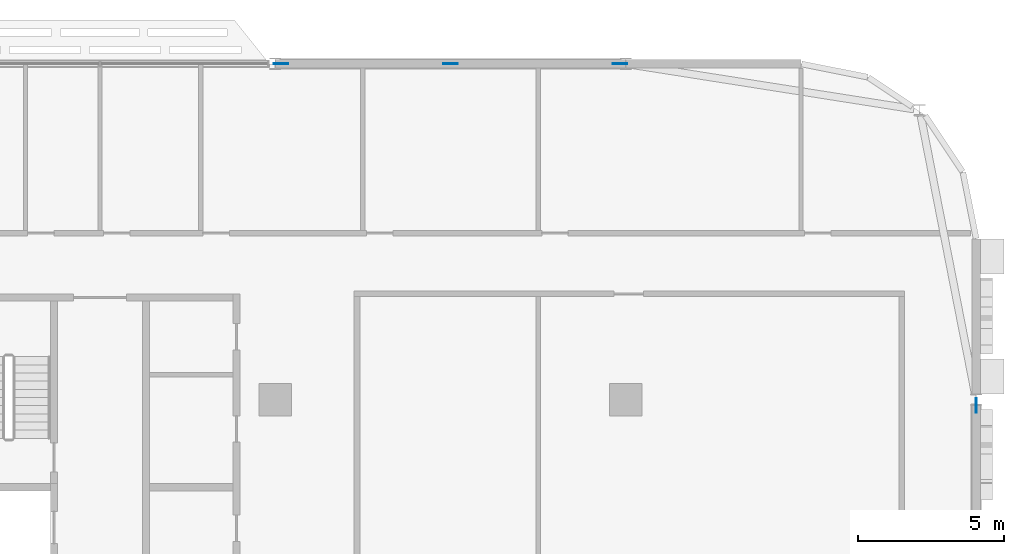
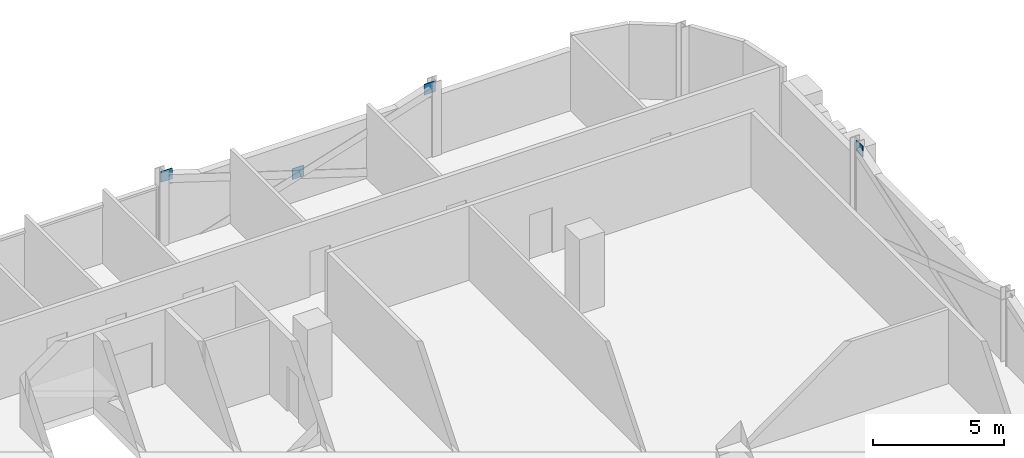
# One storey, part 24 of 30: 4 discrete accessories.
"""IFC4 building model written with IfcOpenShell, lengths in metres."""

from ifc_helpers import new_model, si_unit, direction, frame, origin, origin_2d, place, context, subcontext, project, spatial, rectangle, extrude, material, layer, layer_set, type_object, element, save


model = new_model("IFC4")

# Units and contexts
model_context = context("Model", 3, precision=1e-05, world=origin(), true_north=direction((0.0, 1.0)))
body_context = subcontext(model_context, "Body", "Model", "MODEL_VIEW")
ifc_project = project(units=[si_unit("LENGTHUNIT", "METRE"), si_unit("AREAUNIT", "SQUARE_METRE"), si_unit("VOLUMEUNIT", "CUBIC_METRE"), si_unit("PLANEANGLEUNIT", "RADIAN"), si_unit("MASSUNIT", "GRAM", prefix="KILO")], contexts=[model_context])

# Site, building, storey
site_placement = place(None, origin())
site = spatial("IfcSite", under=ifc_project, at=site_placement, CompositionType="ELEMENT")
building_placement = place(site_placement, origin())
building = spatial("IfcBuilding", under=site, at=building_placement, Name="Mahtab Terrace Research Tower", CompositionType="ELEMENT")
storey_placement = place(building_placement, frame((0.0, 0.0, 216.699951171875)))
storey = spatial("IfcBuildingStorey", under=building, at=storey_placement, Name="L52", CompositionType="ELEMENT", Elevation=216.699951171875)

# Discrete accessories
ifc_material = material(Name="Steel ASTM A992 Gr 50", Category="steel")
ifc_layer = layer(ifc_material, 0.030029296875)
ifc_layer_set = layer_set([ifc_layer], Name="Gusset plate 500x500x30")
discrete_accessory_type = type_object("IfcDiscreteAccessoryType", Name="Gusset plate 500x500x30", PredefinedType="USERDEFINED", material=ifc_layer_set)
for number, where, z_axis, x_axis, name in (
    (1, (30.20068359375, 23.0, 2.870361328125), (0.0, 0.0, 1.0), (1.0, 0.0, 0.0), "Gusset plate"),
    (2, (36.0, 23.0, 0.970947265625), (0.0, 0.0, 1.0), (1.0, 0.0, 0.0), "Gusset plate"),
    (3, (41.79931640625, 23.0, 2.870361328125), (0.0, 0.0, 1.0), (1.0, 0.0, 0.0), "Gusset plate"),
    (4, (54.0, 11.300537109375, 2.870361328125), (0.0, 0.0, 1.0), (0.0, 1.0, 0.0), "Gusset plate"),
):
    element("IfcDiscreteAccessory", number, at=place(storey_placement, frame(where, z_axis=z_axis, x_axis=x_axis)), inside=storey, type_object=discrete_accessory_type, Name=name, ObjectType="GUSSET PLATE", PredefinedType="USERDEFINED", context=body_context, shape_type="SweptSolid", body=[
        extrude(rectangle(XDim=0.5, YDim=0.030029296875, at=origin_2d()), origin(), (0.0, 0.0, 1.0), 0.5),
    ])

save(model, "model.ifc")
